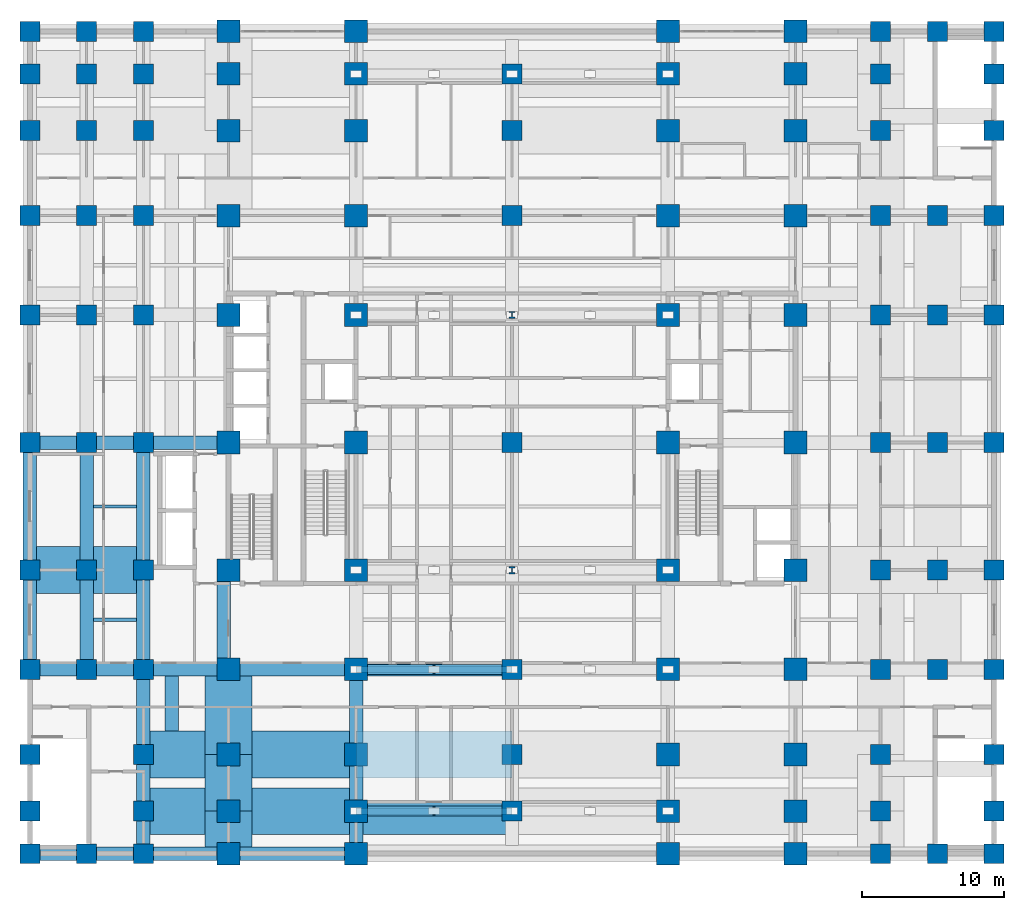
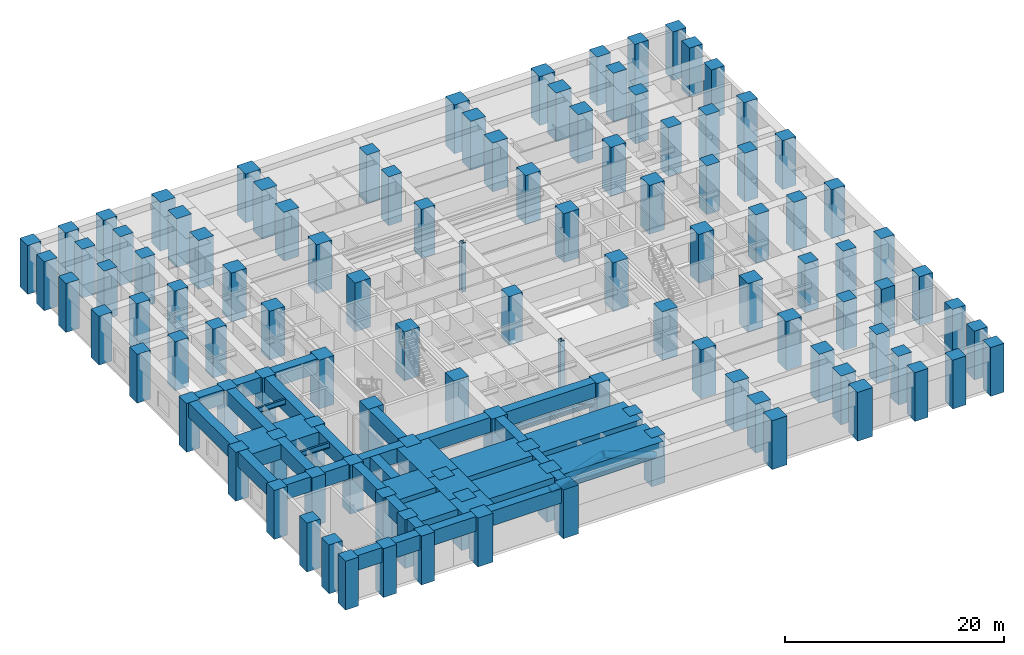
# One storey, part 1 of 22: 113 columns, 39 beams, 6 members.
"""IFC4 building model written with IfcOpenShell, lengths in metres."""

from ifc_helpers import new_model, si_unit, direction, frame, origin, origin_2d, place, context, subcontext, project, spatial, rectangle, hollow_circle, i_section, extrude, material, material_profile, profile_set, type_object, element, save


model = new_model("IFC4")

# Units and contexts
model_context = context("Model", 3, precision=1e-05, world=origin(), true_north=direction((0.0, 1.0)))
body_context = subcontext(model_context, "Body", "Model", "MODEL_VIEW")
ifc_project = project(units=[si_unit("LENGTHUNIT", "METRE"), si_unit("AREAUNIT", "SQUARE_METRE"), si_unit("VOLUMEUNIT", "CUBIC_METRE"), si_unit("PLANEANGLEUNIT", "RADIAN"), si_unit("MASSUNIT", "GRAM", prefix="KILO")], contexts=[model_context])

# Site, building, storey
site_placement = place(None, origin())
site = spatial("IfcSite", under=ifc_project, at=site_placement, CompositionType="ELEMENT")
building_placement = place(site_placement, origin())
building = spatial("IfcBuilding", under=site, at=building_placement, Name="Zulmaris Gate Convention Tower", CompositionType="ELEMENT")
storey_placement = place(building_placement, frame((0.0, 0.0, 21.760009765625)))
storey = spatial("IfcBuildingStorey", under=building, at=storey_placement, Name="L04", CompositionType="ELEMENT", Elevation=21.760009765625)

# Columns
ifc_material_1 = material(Name="Steel S460", Category="steel")
ifc_material_profile_1 = material_profile(ifc_material_1, i_section(OverallWidth=0.43701171875, OverallDepth=0.513916015625, WebThickness=0.060546875, FlangeThickness=0.096923828125, FilletRadius=0.014892578125, at=origin_2d()), Name="HD 400x818")
ifc_profile_set_1 = profile_set([ifc_material_profile_1], Name="Steel S460")
column_type_1 = type_object("IfcColumnType", Name="COL-HD818", PredefinedType="COLUMN", material=ifc_profile_set_1)
for number, where, z_axis, x_axis, name in (
    (1, (0.0, -9.0, -0.449951171875), (0.0, 0.0, 1.0), (1.0, 0.0, 0.0), "L04 Column G-+0.0_-9.0"),
    (2, (0.0, 9.0, -0.449951171875), (0.0, 0.0, 1.0), (1.0, 0.0, 0.0), "L04 Column G-+0.0_+9.0"),
):
    element("IfcColumn", number, at=place(storey_placement, frame(where, z_axis=z_axis, x_axis=x_axis)), inside=storey, type_object=column_type_1, Name=name, PredefinedType="COLUMN", context=body_context, shape_type="SweptSolid", body=[
        extrude(i_section(OverallWidth=0.43701171875, OverallDepth=0.513916015625, WebThickness=0.060546875, FlangeThickness=0.096923828125, FilletRadius=0.014892578125, at=origin_2d()), origin(), (0.0, 0.0, 1.0), 5.43994140625),
    ])
ifc_material_2 = material(Name="Concrete C80/95", Category="concrete")
ifc_material_profile_2 = material_profile(ifc_material_2, rectangle(XDim=1.39990234375, YDim=1.39990234375, at=origin_2d()), Name="RC COL 1400x1400")
ifc_profile_set_2 = profile_set([ifc_material_profile_2], Name="Concrete C80/95")
column_type_2 = type_object("IfcColumnType", Name="COL-RC1400", PredefinedType="COLUMN", material=ifc_profile_set_2)
for number, where, z_axis, x_axis, name in (
    (3, (-34.0, -29.0, -0.449951171875), (0.0, 0.0, 1.0), (1.0, 0.0, 0.0), "L04 Column G--34.0_-29.0"),
    (4, (-34.0, -26.0, -0.449951171875), (0.0, 0.0, 1.0), (1.0, 0.0, 0.0), "L04 Column G--34.0_-26.0"),
    (5, (-34.0, -22.0, -0.449951171875), (0.0, 0.0, 1.0), (1.0, 0.0, 0.0), "L04 Column G--34.0_-22.0"),
    (6, (-34.0, -16.0, -0.449951171875), (0.0, 0.0, 1.0), (1.0, 0.0, 0.0), "L04 Column G--34.0_-16.0"),
    (7, (-34.0, -9.0, -0.449951171875), (0.0, 0.0, 1.0), (1.0, 0.0, 0.0), "L04 Column G--34.0_-9.0"),
    (8, (-34.0, 0.0, -0.449951171875), (0.0, 0.0, 1.0), (1.0, 0.0, 0.0), "L04 Column G--34.0_+0.0"),
    (9, (-34.0, 9.0, -0.449951171875), (0.0, 0.0, 1.0), (1.0, 0.0, 0.0), "L04 Column G--34.0_+9.0"),
    (10, (-34.0, 16.0, -0.449951171875), (0.0, 0.0, 1.0), (1.0, 0.0, 0.0), "L04 Column G--34.0_+16.0"),
    (11, (-34.0, 22.0, -0.449951171875), (0.0, 0.0, 1.0), (1.0, 0.0, 0.0), "L04 Column G--34.0_+22.0"),
    (12, (-34.0, 26.0, -0.449951171875), (0.0, 0.0, 1.0), (1.0, 0.0, 0.0), "L04 Column G--34.0_+26.0"),
    (13, (-34.0, 29.0, -0.449951171875), (0.0, 0.0, 1.0), (1.0, 0.0, 0.0), "L04 Column G--34.0_+29.0"),
    (14, (-30.0, -29.0, -0.449951171875), (0.0, 0.0, 1.0), (1.0, 0.0, 0.0), "L04 Column G--30.0_-29.0"),
    (15, (-30.0, -16.0, -0.449951171875), (0.0, 0.0, 1.0), (1.0, 0.0, 0.0), "L04 Column G--30.0_-16.0"),
    (16, (-30.0, -9.0, -0.449951171875), (0.0, 0.0, 1.0), (1.0, 0.0, 0.0), "L04 Column G--30.0_-9.0"),
    (17, (-30.0, 0.0, -0.449951171875), (0.0, 0.0, 1.0), (1.0, 0.0, 0.0), "L04 Column G--30.0_+0.0"),
    (18, (-30.0, 9.0, -0.449951171875), (0.0, 0.0, 1.0), (1.0, 0.0, 0.0), "L04 Column G--30.0_+9.0"),
    (19, (-30.0, 16.0, -0.449951171875), (0.0, 0.0, 1.0), (1.0, 0.0, 0.0), "L04 Column G--30.0_+16.0"),
    (20, (-30.0, 22.0, -0.449951171875), (0.0, 0.0, 1.0), (1.0, 0.0, 0.0), "L04 Column G--30.0_+22.0"),
    (21, (-30.0, 26.0, -0.449951171875), (0.0, 0.0, 1.0), (1.0, 0.0, 0.0), "L04 Column G--30.0_+26.0"),
    (22, (-30.0, 29.0, -0.449951171875), (0.0, 0.0, 1.0), (1.0, 0.0, 0.0), "L04 Column G--30.0_+29.0"),
    (23, (-26.0, -29.0, -0.449951171875), (0.0, 0.0, 1.0), (1.0, 0.0, 0.0), "L04 Column G--26.0_-29.0"),
    (24, (-26.0, -26.0, -0.449951171875), (0.0, 0.0, 1.0), (1.0, 0.0, 0.0), "L04 Column G--26.0_-26.0"),
    (25, (-26.0, -22.0, -0.449951171875), (0.0, 0.0, 1.0), (1.0, 0.0, 0.0), "L04 Column G--26.0_-22.0"),
    (26, (-26.0, -16.0, -0.449951171875), (0.0, 0.0, 1.0), (1.0, 0.0, 0.0), "L04 Column G--26.0_-16.0"),
    (27, (-26.0, -9.0, -0.449951171875), (0.0, 0.0, 1.0), (1.0, 0.0, 0.0), "L04 Column G--26.0_-9.0"),
    (28, (-26.0, 0.0, -0.449951171875), (0.0, 0.0, 1.0), (1.0, 0.0, 0.0), "L04 Column G--26.0_+0.0"),
    (29, (-26.0, 9.0, -0.449951171875), (0.0, 0.0, 1.0), (1.0, 0.0, 0.0), "L04 Column G--26.0_+9.0"),
    (30, (-26.0, 16.0, -0.449951171875), (0.0, 0.0, 1.0), (1.0, 0.0, 0.0), "L04 Column G--26.0_+16.0"),
    (31, (-26.0, 22.0, -0.449951171875), (0.0, 0.0, 1.0), (1.0, 0.0, 0.0), "L04 Column G--26.0_+22.0"),
    (32, (-26.0, 26.0, -0.449951171875), (0.0, 0.0, 1.0), (1.0, 0.0, 0.0), "L04 Column G--26.0_+26.0"),
    (33, (-26.0, 29.0, -0.449951171875), (0.0, 0.0, 1.0), (1.0, 0.0, 0.0), "L04 Column G--26.0_+29.0"),
    (34, (0.0, -26.0, -0.449951171875), (0.0, 0.0, 1.0), (1.0, 0.0, 0.0), "L04 Column G-+0.0_-26.0"),
    (35, (0.0, -22.0, -0.449951171875), (0.0, 0.0, 1.0), (1.0, 0.0, 0.0), "L04 Column G-+0.0_-22.0"),
    (36, (0.0, -16.0, -0.449951171875), (0.0, 0.0, 1.0), (1.0, 0.0, 0.0), "L04 Column G-+0.0_-16.0"),
    (37, (0.0, 0.0, -0.449951171875), (0.0, 0.0, 1.0), (1.0, 0.0, 0.0), "L04 Column G-+0.0_+0.0"),
    (38, (0.0, 16.0, -0.449951171875), (0.0, 0.0, 1.0), (1.0, 0.0, 0.0), "L04 Column G-+0.0_+16.0"),
    (39, (0.0, 22.0, -0.449951171875), (0.0, 0.0, 1.0), (1.0, 0.0, 0.0), "L04 Column G-+0.0_+22.0"),
    (40, (0.0, 26.0, -0.449951171875), (0.0, 0.0, 1.0), (1.0, 0.0, 0.0), "L04 Column G-+0.0_+26.0"),
    (41, (26.0, -29.0, -0.449951171875), (0.0, 0.0, 1.0), (1.0, 0.0, 0.0), "L04 Column G-+26.0_-29.0"),
    (42, (26.0, -26.0, -0.449951171875), (0.0, 0.0, 1.0), (1.0, 0.0, 0.0), "L04 Column G-+26.0_-26.0"),
    (43, (26.0, -22.0, -0.449951171875), (0.0, 0.0, 1.0), (1.0, 0.0, 0.0), "L04 Column G-+26.0_-22.0"),
    (44, (26.0, -16.0, -0.449951171875), (0.0, 0.0, 1.0), (1.0, 0.0, 0.0), "L04 Column G-+26.0_-16.0"),
    (45, (26.0, -9.0, -0.449951171875), (0.0, 0.0, 1.0), (1.0, 0.0, 0.0), "L04 Column G-+26.0_-9.0"),
    (46, (26.0, 0.0, -0.449951171875), (0.0, 0.0, 1.0), (1.0, 0.0, 0.0), "L04 Column G-+26.0_+0.0"),
    (47, (26.0, 9.0, -0.449951171875), (0.0, 0.0, 1.0), (1.0, 0.0, 0.0), "L04 Column G-+26.0_+9.0"),
    (48, (26.0, 16.0, -0.449951171875), (0.0, 0.0, 1.0), (1.0, 0.0, 0.0), "L04 Column G-+26.0_+16.0"),
    (49, (26.0, 22.0, -0.449951171875), (0.0, 0.0, 1.0), (1.0, 0.0, 0.0), "L04 Column G-+26.0_+22.0"),
    (50, (26.0, 26.0, -0.449951171875), (0.0, 0.0, 1.0), (1.0, 0.0, 0.0), "L04 Column G-+26.0_+26.0"),
    (51, (26.0, 29.0, -0.449951171875), (0.0, 0.0, 1.0), (1.0, 0.0, 0.0), "L04 Column G-+26.0_+29.0"),
    (52, (30.0, -29.0, -0.449951171875), (0.0, 0.0, 1.0), (1.0, 0.0, 0.0), "L04 Column G-+30.0_-29.0"),
    (53, (30.0, -16.0, -0.449951171875), (0.0, 0.0, 1.0), (1.0, 0.0, 0.0), "L04 Column G-+30.0_-16.0"),
    (54, (30.0, -9.0, -0.449951171875), (0.0, 0.0, 1.0), (1.0, 0.0, 0.0), "L04 Column G-+30.0_-9.0"),
    (55, (30.0, 0.0, -0.449951171875), (0.0, 0.0, 1.0), (1.0, 0.0, 0.0), "L04 Column G-+30.0_+0.0"),
    (56, (30.0, 9.0, -0.449951171875), (0.0, 0.0, 1.0), (1.0, 0.0, 0.0), "L04 Column G-+30.0_+9.0"),
    (57, (30.0, 16.0, -0.449951171875), (0.0, 0.0, 1.0), (1.0, 0.0, 0.0), "L04 Column G-+30.0_+16.0"),
    (58, (30.0, 29.0, -0.449951171875), (0.0, 0.0, 1.0), (1.0, 0.0, 0.0), "L04 Column G-+30.0_+29.0"),
    (59, (34.0, -29.0, -0.449951171875), (0.0, 0.0, 1.0), (1.0, 0.0, 0.0), "L04 Column G-+34.0_-29.0"),
    (60, (34.0, -26.0, -0.449951171875), (0.0, 0.0, 1.0), (1.0, 0.0, 0.0), "L04 Column G-+34.0_-26.0"),
    (61, (34.0, -22.0, -0.449951171875), (0.0, 0.0, 1.0), (1.0, 0.0, 0.0), "L04 Column G-+34.0_-22.0"),
    (62, (34.0, -16.0, -0.449951171875), (0.0, 0.0, 1.0), (1.0, 0.0, 0.0), "L04 Column G-+34.0_-16.0"),
    (63, (34.0, -9.0, -0.449951171875), (0.0, 0.0, 1.0), (1.0, 0.0, 0.0), "L04 Column G-+34.0_-9.0"),
    (64, (34.0, 0.0, -0.449951171875), (0.0, 0.0, 1.0), (1.0, 0.0, 0.0), "L04 Column G-+34.0_+0.0"),
    (65, (34.0, 9.0, -0.449951171875), (0.0, 0.0, 1.0), (1.0, 0.0, 0.0), "L04 Column G-+34.0_+9.0"),
    (66, (34.0, 16.0, -0.449951171875), (0.0, 0.0, 1.0), (1.0, 0.0, 0.0), "L04 Column G-+34.0_+16.0"),
    (67, (34.0, 22.0, -0.449951171875), (0.0, 0.0, 1.0), (1.0, 0.0, 0.0), "L04 Column G-+34.0_+22.0"),
    (68, (34.0, 26.0, -0.449951171875), (0.0, 0.0, 1.0), (1.0, 0.0, 0.0), "L04 Column G-+34.0_+26.0"),
    (69, (34.0, 29.0, -0.449951171875), (0.0, 0.0, 1.0), (1.0, 0.0, 0.0), "L04 Column G-+34.0_+29.0"),
):
    element("IfcColumn", number, at=place(storey_placement, frame(where, z_axis=z_axis, x_axis=x_axis)), inside=storey, type_object=column_type_2, Name=name, PredefinedType="COLUMN", context=body_context, shape_type="SweptSolid", body=[
        extrude(rectangle(XDim=1.39990234375, YDim=1.39990234375, at=origin_2d()), origin(), (0.0, 0.0, 1.0), 5.43994140625),
    ])
ifc_material_profile_3 = material_profile(ifc_material_2, rectangle(XDim=1.60009765625, YDim=1.60009765625, at=origin_2d()), Name="RC COL 1600x1600")
ifc_profile_set_3 = profile_set([ifc_material_profile_3], Name="Concrete C80/95")
column_type_3 = type_object("IfcColumnType", Name="COL-RC1600", PredefinedType="COLUMN", material=ifc_profile_set_3)
for number, where, z_axis, x_axis, name in (
    (70, (-20.0, -29.0, -0.449951171875), (0.0, 0.0, 1.0), (1.0, 0.0, 0.0), "L04 Column G--20.0_-29.0"),
    (71, (-20.0, -26.0, -0.449951171875), (0.0, 0.0, 1.0), (1.0, 0.0, 0.0), "L04 Column G--20.0_-26.0"),
    (72, (-20.0, -22.0, -0.449951171875), (0.0, 0.0, 1.0), (1.0, 0.0, 0.0), "L04 Column G--20.0_-22.0"),
    (73, (-20.0, -16.0, -0.449951171875), (0.0, 0.0, 1.0), (1.0, 0.0, 0.0), "L04 Column G--20.0_-16.0"),
    (74, (-20.0, -9.0, -0.449951171875), (0.0, 0.0, 1.0), (1.0, 0.0, 0.0), "L04 Column G--20.0_-9.0"),
    (75, (-20.0, 0.0, -0.449951171875), (0.0, 0.0, 1.0), (1.0, 0.0, 0.0), "L04 Column G--20.0_+0.0"),
    (76, (-20.0, 9.0, -0.449951171875), (0.0, 0.0, 1.0), (1.0, 0.0, 0.0), "L04 Column G--20.0_+9.0"),
    (77, (-20.0, 16.0, -0.449951171875), (0.0, 0.0, 1.0), (1.0, 0.0, 0.0), "L04 Column G--20.0_+16.0"),
    (78, (-20.0, 22.0, -0.449951171875), (0.0, 0.0, 1.0), (1.0, 0.0, 0.0), "L04 Column G--20.0_+22.0"),
    (79, (-20.0, 26.0, -0.449951171875), (0.0, 0.0, 1.0), (1.0, 0.0, 0.0), "L04 Column G--20.0_+26.0"),
    (80, (-20.0, 29.0, -0.449951171875), (0.0, 0.0, 1.0), (1.0, 0.0, 0.0), "L04 Column G--20.0_+29.0"),
    (81, (-11.0, -29.0, -0.449951171875), (0.0, 0.0, 1.0), (1.0, 0.0, 0.0), "L04 Column G--11.0_-29.0"),
    (82, (-11.0, -26.0, -0.449951171875), (0.0, 0.0, 1.0), (1.0, 0.0, 0.0), "L04 Column G--11.0_-26.0"),
    (83, (-11.0, -22.0, -0.449951171875), (0.0, 0.0, 1.0), (1.0, 0.0, 0.0), "L04 Column G--11.0_-22.0"),
    (84, (-11.0, -16.0, -0.449951171875), (0.0, 0.0, 1.0), (1.0, 0.0, 0.0), "L04 Column G--11.0_-16.0"),
    (85, (-11.0, -9.0, -0.449951171875), (0.0, 0.0, 1.0), (1.0, 0.0, 0.0), "L04 Column G--11.0_-9.0"),
    (86, (-11.0, 0.0, -0.449951171875), (0.0, 0.0, 1.0), (1.0, 0.0, 0.0), "L04 Column G--11.0_+0.0"),
    (87, (-11.0, 9.0, -0.449951171875), (0.0, 0.0, 1.0), (1.0, 0.0, 0.0), "L04 Column G--11.0_+9.0"),
    (88, (-11.0, 16.0, -0.449951171875), (0.0, 0.0, 1.0), (1.0, 0.0, 0.0), "L04 Column G--11.0_+16.0"),
    (89, (-11.0, 22.0, -0.449951171875), (0.0, 0.0, 1.0), (1.0, 0.0, 0.0), "L04 Column G--11.0_+22.0"),
    (90, (-11.0, 26.0, -0.449951171875), (0.0, 0.0, 1.0), (1.0, 0.0, 0.0), "L04 Column G--11.0_+26.0"),
    (91, (-11.0, 29.0, -0.449951171875), (0.0, 0.0, 1.0), (1.0, 0.0, 0.0), "L04 Column G--11.0_+29.0"),
    (92, (11.0, -29.0, -0.449951171875), (0.0, 0.0, 1.0), (1.0, 0.0, 0.0), "L04 Column G-+11.0_-29.0"),
    (93, (11.0, -26.0, -0.449951171875), (0.0, 0.0, 1.0), (1.0, 0.0, 0.0), "L04 Column G-+11.0_-26.0"),
    (94, (11.0, -22.0, -0.449951171875), (0.0, 0.0, 1.0), (1.0, 0.0, 0.0), "L04 Column G-+11.0_-22.0"),
    (95, (11.0, -16.0, -0.449951171875), (0.0, 0.0, 1.0), (1.0, 0.0, 0.0), "L04 Column G-+11.0_-16.0"),
    (96, (11.0, -9.0, -0.449951171875), (0.0, 0.0, 1.0), (1.0, 0.0, 0.0), "L04 Column G-+11.0_-9.0"),
    (97, (11.0, 0.0, -0.449951171875), (0.0, 0.0, 1.0), (1.0, 0.0, 0.0), "L04 Column G-+11.0_+0.0"),
    (98, (11.0, 9.0, -0.449951171875), (0.0, 0.0, 1.0), (1.0, 0.0, 0.0), "L04 Column G-+11.0_+9.0"),
    (99, (11.0, 16.0, -0.449951171875), (0.0, 0.0, 1.0), (1.0, 0.0, 0.0), "L04 Column G-+11.0_+16.0"),
    (100, (11.0, 22.0, -0.449951171875), (0.0, 0.0, 1.0), (1.0, 0.0, 0.0), "L04 Column G-+11.0_+22.0"),
    (101, (11.0, 26.0, -0.449951171875), (0.0, 0.0, 1.0), (1.0, 0.0, 0.0), "L04 Column G-+11.0_+26.0"),
    (102, (11.0, 29.0, -0.449951171875), (0.0, 0.0, 1.0), (1.0, 0.0, 0.0), "L04 Column G-+11.0_+29.0"),
    (103, (20.0, -29.0, -0.449951171875), (0.0, 0.0, 1.0), (1.0, 0.0, 0.0), "L04 Column G-+20.0_-29.0"),
    (104, (20.0, -26.0, -0.449951171875), (0.0, 0.0, 1.0), (1.0, 0.0, 0.0), "L04 Column G-+20.0_-26.0"),
    (105, (20.0, -22.0, -0.449951171875), (0.0, 0.0, 1.0), (1.0, 0.0, 0.0), "L04 Column G-+20.0_-22.0"),
    (106, (20.0, -16.0, -0.449951171875), (0.0, 0.0, 1.0), (1.0, 0.0, 0.0), "L04 Column G-+20.0_-16.0"),
    (107, (20.0, -9.0, -0.449951171875), (0.0, 0.0, 1.0), (1.0, 0.0, 0.0), "L04 Column G-+20.0_-9.0"),
    (108, (20.0, 0.0, -0.449951171875), (0.0, 0.0, 1.0), (1.0, 0.0, 0.0), "L04 Column G-+20.0_+0.0"),
    (109, (20.0, 9.0, -0.449951171875), (0.0, 0.0, 1.0), (1.0, 0.0, 0.0), "L04 Column G-+20.0_+9.0"),
    (110, (20.0, 16.0, -0.449951171875), (0.0, 0.0, 1.0), (1.0, 0.0, 0.0), "L04 Column G-+20.0_+16.0"),
    (111, (20.0, 22.0, -0.449951171875), (0.0, 0.0, 1.0), (1.0, 0.0, 0.0), "L04 Column G-+20.0_+22.0"),
    (112, (20.0, 26.0, -0.449951171875), (0.0, 0.0, 1.0), (1.0, 0.0, 0.0), "L04 Column G-+20.0_+26.0"),
    (113, (20.0, 29.0, -0.449951171875), (0.0, 0.0, 1.0), (1.0, 0.0, 0.0), "L04 Column G-+20.0_+29.0"),
):
    element("IfcColumn", number, at=place(storey_placement, frame(where, z_axis=z_axis, x_axis=x_axis)), inside=storey, type_object=column_type_3, Name=name, PredefinedType="COLUMN", context=body_context, shape_type="SweptSolid", body=[
        extrude(rectangle(XDim=1.60009765625, YDim=1.60009765625, at=origin_2d()), origin(), (0.0, 0.0, 1.0), 5.43994140625),
    ])

# Beams
ifc_material_profile_4 = material_profile(ifc_material_2, rectangle(XDim=0.949951171875, YDim=1.64990234375, at=origin_2d()), Name="RC TRANSFER 950x1650")
ifc_profile_set_4 = profile_set([ifc_material_profile_4], Name="Concrete C80/95")
beam_type_1 = type_object("IfcBeamType", Name="BM-XFER1650", PredefinedType="BEAM", material=ifc_profile_set_4)
beam_1_placement = place(storey_placement, frame((-20.320068359375, -16.0, 4.1650390625), z_axis=(0.0, 1.0, 0.0), x_axis=(-1.0, 0.0, 0.0)))
element("IfcBeam", 114, at=beam_1_placement, inside=storey, type_object=beam_type_1, Name="L04 Beam XFCOR-L04-SW", PredefinedType="BEAM", context=body_context, shape_type="SweptSolid", body=[
    extrude(rectangle(XDim=0.949951171875, YDim=1.64990234375, at=origin_2d()), origin(), (0.0, 0.0, 1.0), 7.0),
])
for number, where, z_axis, x_axis, name in (
    (115, (-34.0, -29.0, 4.1650390625), (1.0, 0.0, 0.0), (0.0, 1.0, 0.0), "L04 Beam XFRNGX-L04--29.0-1"),
    (116, (-30.0, -29.0, 4.1650390625), (1.0, 0.0, 0.0), (0.0, 1.0, 0.0), "L04 Beam XFRNGX-L04--29.0-2"),
):
    element("IfcBeam", number, at=place(storey_placement, frame(where, z_axis=z_axis, x_axis=x_axis)), inside=storey, type_object=beam_type_1, Name=name, PredefinedType="BEAM", context=body_context, shape_type="SweptSolid", body=[
        extrude(rectangle(XDim=0.949951171875, YDim=1.64990234375, at=origin_2d()), origin(), (0.0, 0.0, 1.0), 4.0),
    ])
beam_2_placement = place(storey_placement, frame((-26.0, -29.0, 4.1650390625), z_axis=(1.0, 0.0, 0.0), x_axis=(0.0, 1.0, 0.0)))
element("IfcBeam", 117, at=beam_2_placement, inside=storey, type_object=beam_type_1, Name="L04 Beam XFRNGX-L04--29.0-3", PredefinedType="BEAM", context=body_context, shape_type="SweptSolid", body=[
    extrude(rectangle(XDim=0.949951171875, YDim=1.64990234375, at=origin_2d()), origin(), (0.0, 0.0, 1.0), 6.0),
])
beam_3_placement = place(storey_placement, frame((-20.0, -29.0, 4.1650390625), z_axis=(1.0, 0.0, 0.0), x_axis=(0.0, 1.0, 0.0)))
element("IfcBeam", 118, at=beam_3_placement, inside=storey, type_object=beam_type_1, Name="L04 Beam XFRNGX-L04--29.0-4", PredefinedType="BEAM", context=body_context, shape_type="SweptSolid", body=[
    extrude(rectangle(XDim=0.949951171875, YDim=1.64990234375, at=origin_2d()), origin(), (0.0, 0.0, 1.0), 9.0),
])
beam_4_placement = place(storey_placement, frame((-34.0, -16.0, 4.1650390625), z_axis=(0.0, 1.0, 0.0), x_axis=(-1.0, 0.0, 0.0)))
element("IfcBeam", 119, at=beam_4_placement, inside=storey, type_object=beam_type_1, Name="L04 Beam XFRNGY-L04--34.0-4", PredefinedType="BEAM", context=body_context, shape_type="SweptSolid", body=[
    extrude(rectangle(XDim=0.949951171875, YDim=1.64990234375, at=origin_2d()), origin(), (0.0, 0.0, 1.0), 7.0),
])
beam_5_placement = place(storey_placement, frame((-34.0, -9.0, 4.1650390625), z_axis=(0.0, 1.0, 0.0), x_axis=(-1.0, 0.0, 0.0)))
element("IfcBeam", 120, at=beam_5_placement, inside=storey, type_object=beam_type_1, Name="L04 Beam XFRNGY-L04--34.0-5", PredefinedType="BEAM", context=body_context, shape_type="SweptSolid", body=[
    extrude(rectangle(XDim=0.949951171875, YDim=1.64990234375, at=origin_2d()), origin(), (0.0, 0.0, 1.0), 9.0),
])
beam_6_placement = place(storey_placement, frame((-30.0, -16.0, 4.1650390625), z_axis=(0.0, 1.0, 0.0), x_axis=(-1.0, 0.0, 0.0)))
element("IfcBeam", 121, at=beam_6_placement, inside=storey, type_object=beam_type_1, Name="L04 Beam XFSPY-L04--30.0-2", PredefinedType="BEAM", context=body_context, shape_type="SweptSolid", body=[
    extrude(rectangle(XDim=0.949951171875, YDim=1.64990234375, at=origin_2d()), origin(), (0.0, 0.0, 1.0), 7.0),
])
beam_7_placement = place(storey_placement, frame((-30.0, -9.0, 4.1650390625), z_axis=(0.0, 1.0, 0.0), x_axis=(-1.0, 0.0, 0.0)))
element("IfcBeam", 122, at=beam_7_placement, inside=storey, type_object=beam_type_1, Name="L04 Beam XFSPY-L04--30.0-3", PredefinedType="BEAM", context=body_context, shape_type="SweptSolid", body=[
    extrude(rectangle(XDim=0.949951171875, YDim=1.64990234375, at=origin_2d()), origin(), (0.0, 0.0, 1.0), 9.0),
])
beam_8_placement = place(storey_placement, frame((-26.0, -29.0, 4.1650390625), z_axis=(0.0, 1.0, 0.0), x_axis=(-1.0, 0.0, 0.0)))
element("IfcBeam", 123, at=beam_8_placement, inside=storey, type_object=beam_type_1, Name="L04 Beam XFSPY-L04--26.0-1", PredefinedType="BEAM", context=body_context, shape_type="SweptSolid", body=[
    extrude(rectangle(XDim=0.949951171875, YDim=1.64990234375, at=origin_2d()), origin(), (0.0, 0.0, 1.0), 3.0),
])
beam_9_placement = place(storey_placement, frame((-26.0, -26.0, 4.1650390625), z_axis=(0.0, 1.0, 0.0), x_axis=(-1.0, 0.0, 0.0)))
element("IfcBeam", 124, at=beam_9_placement, inside=storey, type_object=beam_type_1, Name="L04 Beam XFSPY-L04--26.0-2", PredefinedType="BEAM", context=body_context, shape_type="SweptSolid", body=[
    extrude(rectangle(XDim=0.949951171875, YDim=1.64990234375, at=origin_2d()), origin(), (0.0, 0.0, 1.0), 4.0),
])
beam_10_placement = place(storey_placement, frame((-26.0, -22.0, 4.1650390625), z_axis=(0.0, 1.0, 0.0), x_axis=(-1.0, 0.0, 0.0)))
element("IfcBeam", 125, at=beam_10_placement, inside=storey, type_object=beam_type_1, Name="L04 Beam XFSPY-L04--26.0-3", PredefinedType="BEAM", context=body_context, shape_type="SweptSolid", body=[
    extrude(rectangle(XDim=0.949951171875, YDim=1.64990234375, at=origin_2d()), origin(), (0.0, 0.0, 1.0), 6.0),
])
beam_11_placement = place(storey_placement, frame((-26.0, -16.0, 4.1650390625), z_axis=(0.0, 1.0, 0.0), x_axis=(-1.0, 0.0, 0.0)))
element("IfcBeam", 126, at=beam_11_placement, inside=storey, type_object=beam_type_1, Name="L04 Beam XFSPY-L04--26.0-4", PredefinedType="BEAM", context=body_context, shape_type="SweptSolid", body=[
    extrude(rectangle(XDim=0.949951171875, YDim=1.64990234375, at=origin_2d()), origin(), (0.0, 0.0, 1.0), 7.0),
])
beam_12_placement = place(storey_placement, frame((-26.0, -9.0, 4.1650390625), z_axis=(0.0, 1.0, 0.0), x_axis=(-1.0, 0.0, 0.0)))
element("IfcBeam", 127, at=beam_12_placement, inside=storey, type_object=beam_type_1, Name="L04 Beam XFSPY-L04--26.0-5", PredefinedType="BEAM", context=body_context, shape_type="SweptSolid", body=[
    extrude(rectangle(XDim=0.949951171875, YDim=1.64990234375, at=origin_2d()), origin(), (0.0, 0.0, 1.0), 9.0),
])
beam_13_placement = place(storey_placement, frame((-11.0, -29.0, 4.1650390625), z_axis=(0.0, 1.0, 0.0), x_axis=(-1.0, 0.0, 0.0)))
element("IfcBeam", 128, at=beam_13_placement, inside=storey, type_object=beam_type_1, Name="L04 Beam XFSPY-L04--11.0-1", PredefinedType="BEAM", context=body_context, shape_type="SweptSolid", body=[
    extrude(rectangle(XDim=0.949951171875, YDim=1.64990234375, at=origin_2d()), origin(), (0.0, 0.0, 1.0), 3.0),
])
beam_14_placement = place(storey_placement, frame((-11.0, -26.0, 4.1650390625), z_axis=(0.0, 1.0, 0.0), x_axis=(-1.0, 0.0, 0.0)))
element("IfcBeam", 129, at=beam_14_placement, inside=storey, type_object=beam_type_1, Name="L04 Beam XFSPY-L04--11.0-2", PredefinedType="BEAM", context=body_context, shape_type="SweptSolid", body=[
    extrude(rectangle(XDim=0.949951171875, YDim=1.64990234375, at=origin_2d()), origin(), (0.0, 0.0, 1.0), 4.0),
])
beam_15_placement = place(storey_placement, frame((-11.0, -22.0, 4.1650390625), z_axis=(0.0, 1.0, 0.0), x_axis=(-1.0, 0.0, 0.0)))
element("IfcBeam", 130, at=beam_15_placement, inside=storey, type_object=beam_type_1, Name="L04 Beam XFSPY-L04--11.0-3", PredefinedType="BEAM", context=body_context, shape_type="SweptSolid", body=[
    extrude(rectangle(XDim=0.949951171875, YDim=1.64990234375, at=origin_2d()), origin(), (0.0, 0.0, 1.0), 6.0),
])
for number, where, z_axis, x_axis, name in (
    (131, (-34.0, -16.0, 4.1650390625), (1.0, 0.0, 0.0), (0.0, 1.0, 0.0), "L04 Beam XFSPX-L04--16.0-1"),
    (132, (-30.0, -16.0, 4.1650390625), (1.0, 0.0, 0.0), (0.0, 1.0, 0.0), "L04 Beam XFSPX-L04--16.0-2"),
):
    element("IfcBeam", number, at=place(storey_placement, frame(where, z_axis=z_axis, x_axis=x_axis)), inside=storey, type_object=beam_type_1, Name=name, PredefinedType="BEAM", context=body_context, shape_type="SweptSolid", body=[
        extrude(rectangle(XDim=0.949951171875, YDim=1.64990234375, at=origin_2d()), origin(), (0.0, 0.0, 1.0), 4.0),
    ])
beam_16_placement = place(storey_placement, frame((-26.0, -16.0, 4.1650390625), z_axis=(1.0, 0.0, 0.0), x_axis=(0.0, 1.0, 0.0)))
element("IfcBeam", 133, at=beam_16_placement, inside=storey, type_object=beam_type_1, Name="L04 Beam XFSPX-L04--16.0-3", PredefinedType="BEAM", context=body_context, shape_type="SweptSolid", body=[
    extrude(rectangle(XDim=0.949951171875, YDim=1.64990234375, at=origin_2d()), origin(), (0.0, 0.0, 1.0), 6.0),
])
beam_17_placement = place(storey_placement, frame((-20.0, -16.0, 4.1650390625), z_axis=(1.0, 0.0, 0.0), x_axis=(0.0, 1.0, 0.0)))
element("IfcBeam", 134, at=beam_17_placement, inside=storey, type_object=beam_type_1, Name="L04 Beam XFSPX-L04--16.0-4", PredefinedType="BEAM", context=body_context, shape_type="SweptSolid", body=[
    extrude(rectangle(XDim=0.949951171875, YDim=1.64990234375, at=origin_2d()), origin(), (0.0, 0.0, 1.0), 9.0),
])
beam_18_placement = place(storey_placement, frame((-11.0, -16.0, 4.1650390625), z_axis=(1.0, 0.0, 0.0), x_axis=(0.0, 1.0, 0.0)))
element("IfcBeam", 135, at=beam_18_placement, inside=storey, type_object=beam_type_1, Name="L04 Beam XFSPX-L04--16.0-5", PredefinedType="BEAM", context=body_context, shape_type="SweptSolid", body=[
    extrude(rectangle(XDim=0.949951171875, YDim=1.64990234375, at=origin_2d()), origin(), (0.0, 0.0, 1.0), 11.0),
])
for number, where, z_axis, x_axis, name in (
    (136, (-34.0, 0.0, 4.1650390625), (1.0, 0.0, 0.0), (0.0, 1.0, 0.0), "L04 Beam XFSPX-L04-+0.0-1"),
    (137, (-30.0, 0.0, 4.1650390625), (1.0, 0.0, 0.0), (0.0, 1.0, 0.0), "L04 Beam XFSPX-L04-+0.0-2"),
):
    element("IfcBeam", number, at=place(storey_placement, frame(where, z_axis=z_axis, x_axis=x_axis)), inside=storey, type_object=beam_type_1, Name=name, PredefinedType="BEAM", context=body_context, shape_type="SweptSolid", body=[
        extrude(rectangle(XDim=0.949951171875, YDim=1.64990234375, at=origin_2d()), origin(), (0.0, 0.0, 1.0), 4.0),
    ])
beam_19_placement = place(storey_placement, frame((-26.0, 0.0, 4.1650390625), z_axis=(1.0, 0.0, 0.0), x_axis=(0.0, 1.0, 0.0)))
element("IfcBeam", 138, at=beam_19_placement, inside=storey, type_object=beam_type_1, Name="L04 Beam XFSPX-L04-+0.0-3", PredefinedType="BEAM", context=body_context, shape_type="SweptSolid", body=[
    extrude(rectangle(XDim=0.949951171875, YDim=1.64990234375, at=origin_2d()), origin(), (0.0, 0.0, 1.0), 6.0),
])
beam_20_placement = place(storey_placement, frame((-24.0, -20.362060546875, 4.1650390625), z_axis=(0.0, 1.0, 0.0), x_axis=(-1.0, 0.0, 0.0)))
element("IfcBeam", 139, at=beam_20_placement, inside=storey, type_object=beam_type_1, Name="L04 Beam XFERY-L04--24.00-3", PredefinedType="BEAM", context=body_context, shape_type="SweptSolid", body=[
    extrude(rectangle(XDim=0.949951171875, YDim=1.64990234375, at=origin_2d()), origin(), (0.0, 0.0, 1.0), 3.899169921875),
])
ifc_material_profile_5 = material_profile(ifc_material_2, rectangle(XDim=3.300048828125, YDim=1.64990234375, at=origin_2d()), Name="RC TRANSFER 3300x1650")
ifc_profile_set_5 = profile_set([ifc_material_profile_5], Name="Concrete C80/95")
beam_type_2 = type_object("IfcBeamType", Name="BM-XFERCAP", PredefinedType="BEAM", material=ifc_profile_set_5)
beam_21_placement = place(storey_placement, frame((-20.0, -29.0, 4.1650390625), z_axis=(0.0, 1.0, 0.0), x_axis=(-1.0, 0.0, 0.0)))
element("IfcBeam", 140, at=beam_21_placement, inside=storey, type_object=beam_type_2, Name="L04 Beam XFSPY-L04--20.0-1", PredefinedType="BEAM", context=body_context, shape_type="SweptSolid", body=[
    extrude(rectangle(XDim=3.300048828125, YDim=1.64990234375, at=origin_2d()), origin(), (0.0, 0.0, 1.0), 3.0),
])
beam_22_placement = place(storey_placement, frame((-20.0, -26.0, 4.1650390625), z_axis=(0.0, 1.0, 0.0), x_axis=(-1.0, 0.0, 0.0)))
element("IfcBeam", 141, at=beam_22_placement, inside=storey, type_object=beam_type_2, Name="L04 Beam XFSPY-L04--20.0-2", PredefinedType="BEAM", context=body_context, shape_type="SweptSolid", body=[
    extrude(rectangle(XDim=3.300048828125, YDim=1.64990234375, at=origin_2d()), origin(), (0.0, 0.0, 1.0), 4.0),
])
for number, where, z_axis, x_axis, name in (
    (142, (-20.0, -22.0, 4.1650390625), (0.0, 1.0, 0.0), (-1.0, 0.0, 0.0), "L04 Beam XFSPY-L04--20.0-3"),
    (143, (-26.0, -26.0, 4.1650390625), (1.0, 0.0, 0.0), (0.0, 1.0, 0.0), "L04 Beam XFSPX-L04--26.0-2"),
):
    element("IfcBeam", number, at=place(storey_placement, frame(where, z_axis=z_axis, x_axis=x_axis)), inside=storey, type_object=beam_type_2, Name=name, PredefinedType="BEAM", context=body_context, shape_type="SweptSolid", body=[
        extrude(rectangle(XDim=3.300048828125, YDim=1.64990234375, at=origin_2d()), origin(), (0.0, 0.0, 1.0), 6.0),
    ])
beam_23_placement = place(storey_placement, frame((-20.0, -26.0, 4.1650390625), z_axis=(1.0, 0.0, 0.0), x_axis=(0.0, 1.0, 0.0)))
element("IfcBeam", 144, at=beam_23_placement, inside=storey, type_object=beam_type_2, Name="L04 Beam XFSPX-L04--26.0-3", PredefinedType="BEAM", context=body_context, shape_type="SweptSolid", body=[
    extrude(rectangle(XDim=3.300048828125, YDim=1.64990234375, at=origin_2d()), origin(), (0.0, 0.0, 1.0), 9.0),
])
beam_24_placement = place(storey_placement, frame((-11.0, -26.0, 4.1650390625), z_axis=(1.0, 0.0, 0.0), x_axis=(0.0, 1.0, 0.0)))
element("IfcBeam", 145, at=beam_24_placement, inside=storey, type_object=beam_type_2, Name="L04 Beam XFSPX-L04--26.0-4", PredefinedType="BEAM", context=body_context, shape_type="SweptSolid", body=[
    extrude(rectangle(XDim=3.300048828125, YDim=1.64990234375, at=origin_2d()), origin(), (0.0, 0.0, 1.0), 11.0),
])
beam_25_placement = place(storey_placement, frame((-26.0, -22.0, 4.1650390625), z_axis=(1.0, 0.0, 0.0), x_axis=(0.0, 1.0, 0.0)))
element("IfcBeam", 146, at=beam_25_placement, inside=storey, type_object=beam_type_2, Name="L04 Beam XFSPX-L04--22.0-2", PredefinedType="BEAM", context=body_context, shape_type="SweptSolid", body=[
    extrude(rectangle(XDim=3.300048828125, YDim=1.64990234375, at=origin_2d()), origin(), (0.0, 0.0, 1.0), 6.0),
])
beam_26_placement = place(storey_placement, frame((-20.0, -22.0, 4.1650390625), z_axis=(1.0, 0.0, 0.0), x_axis=(0.0, 1.0, 0.0)))
element("IfcBeam", 147, at=beam_26_placement, inside=storey, type_object=beam_type_2, Name="L04 Beam XFSPX-L04--22.0-3", PredefinedType="BEAM", context=body_context, shape_type="SweptSolid", body=[
    extrude(rectangle(XDim=3.300048828125, YDim=1.64990234375, at=origin_2d()), origin(), (0.0, 0.0, 1.0), 9.0),
])
beam_27_placement = place(storey_placement, frame((-11.0, -22.0, 4.1650390625), z_axis=(1.0, 0.0, 0.0), x_axis=(0.0, 1.0, 0.0)))
element("IfcBeam", 148, at=beam_27_placement, inside=storey, type_object=beam_type_2, Name="L04 Beam XFSPX-L04--22.0-4", PredefinedType="BEAM", context=body_context, shape_type="SweptSolid", body=[
    extrude(rectangle(XDim=3.300048828125, YDim=1.64990234375, at=origin_2d()), origin(), (0.0, 0.0, 1.0), 11.0),
])
for number, where, z_axis, x_axis, name in (
    (149, (-34.0, -9.0, 4.1650390625), (1.0, 0.0, 0.0), (0.0, 1.0, 0.0), "L04 Beam XFSPX-L04--9.0-1"),
    (150, (-30.0, -9.0, 4.1650390625), (1.0, 0.0, 0.0), (0.0, 1.0, 0.0), "L04 Beam XFSPX-L04--9.0-2"),
):
    element("IfcBeam", number, at=place(storey_placement, frame(where, z_axis=z_axis, x_axis=x_axis)), inside=storey, type_object=beam_type_2, Name=name, PredefinedType="BEAM", context=body_context, shape_type="SweptSolid", body=[
        extrude(rectangle(XDim=3.300048828125, YDim=1.64990234375, at=origin_2d()), origin(), (0.0, 0.0, 1.0), 4.0),
    ])

# Members
ifc_material_profile_6 = material_profile(ifc_material_1, hollow_circle(Radius=0.35546875, WallThickness=0.035888671875, at=origin_2d()), Name="CHS 711x36")
ifc_profile_set_6 = profile_set([ifc_material_profile_6], Name="Steel S460")
member_type_1 = type_object("IfcMemberType", Name="BR-CHS711", PredefinedType="BRACE", material=ifc_profile_set_6)
for number, where, z_axis, x_axis, name in (
    (151, (-11.0, -26.0, 2.449951171875), (0.940341848935, 0.0, 0.340231108428), (0.0, 1.0, 0.0), "L04 Pishtaq Transfer Truss Diagonal -26-D1"),
    (152, (-5.5, -26.0, 4.43994140625), (0.940341848935, 0.0, -0.340231108428), (0.0, 1.0, 0.0), "L04 Pishtaq Transfer Truss Diagonal -26-D2"),
    (153, (-11.0, -16.0, 2.449951171875), (0.940341848935, 0.0, 0.340231108428), (0.0, 1.0, 0.0), "L04 Pishtaq Transfer Truss Diagonal -16-D1"),
    (154, (-5.5, -16.0, 4.43994140625), (0.940341848935, 0.0, -0.340231108428), (0.0, 1.0, 0.0), "L04 Pishtaq Transfer Truss Diagonal -16-D2"),
):
    element("IfcMember", number, at=place(storey_placement, frame(where, z_axis=z_axis, x_axis=x_axis)), inside=storey, type_object=member_type_1, Name=name, PredefinedType="BRACE", context=body_context, shape_type="SweptSolid", body=[
        extrude(hollow_circle(Radius=0.35546875, WallThickness=0.035888671875, at=origin_2d()), origin(), (0.0, 0.0, 1.0), 5.848876953125),
    ])
ifc_material_profile_7 = material_profile(ifc_material_1, i_section(OverallWidth=0.43701171875, OverallDepth=0.513916015625, WebThickness=0.060546875, FlangeThickness=0.096923828125, FilletRadius=0.014892578125, at=origin_2d()), Name="HD 400x818")
ifc_profile_set_7 = profile_set([ifc_material_profile_7], Name="Steel S460")
member_type_2 = type_object("IfcMemberType", Name="CH-HD818", PredefinedType="CHORD", material=ifc_profile_set_7)
for number, where, z_axis, x_axis, name in (
    (155, (-11.0, -26.0, 2.449951171875), (1.0, 0.0, 0.0), (0.0, 1.0, 0.0), "L04 Pishtaq Transfer Truss Bottom Chord -26-1"),
    (156, (-11.0, -16.0, 2.449951171875), (1.0, 0.0, 0.0), (0.0, 1.0, 0.0), "L04 Pishtaq Transfer Truss Bottom Chord -16-1"),
):
    element("IfcMember", number, at=place(storey_placement, frame(where, z_axis=z_axis, x_axis=x_axis)), inside=storey, type_object=member_type_2, Name=name, PredefinedType="CHORD", context=body_context, shape_type="SweptSolid", body=[
        extrude(i_section(OverallWidth=0.43701171875, OverallDepth=0.513916015625, WebThickness=0.060546875, FlangeThickness=0.096923828125, FilletRadius=0.014892578125, at=origin_2d()), origin(), (0.0, 0.0, 1.0), 11.0),
    ])

# Beams
ifc_material_3 = material(Name="Steel S355", Category="steel")
ifc_material_profile_8 = material_profile(ifc_material_3, i_section(OverallWidth=0.219970703125, OverallDepth=0.60009765625, WebThickness=0.011962890625, FlangeThickness=0.01904296875, FilletRadius=0.02392578125, at=origin_2d()), Name="IPE 600")
ifc_profile_set_8 = profile_set([ifc_material_profile_8], Name="Steel S355")
beam_type_3 = type_object("IfcBeamType", Name="JT-IPE600", PredefinedType="JOIST", material=ifc_profile_set_8)
for number, where, z_axis, x_axis, name in (
    (157, (-29.52490234375, -12.5, 4.68994140625), (1.0, 0.0, 0.0), (0.0, 1.0, 0.0), "L04 Joist JT-L04--30_-26--12.5"),
    (158, (-29.52490234375, -4.5, 4.68994140625), (1.0, 0.0, 0.0), (0.0, 1.0, 0.0), "L04 Joist JT-L04--30_-26--4.5"),
):
    element("IfcBeam", number, at=place(storey_placement, frame(where, z_axis=z_axis, x_axis=x_axis)), inside=storey, type_object=beam_type_3, Name=name, PredefinedType="JOIST", context=body_context, shape_type="SweptSolid", body=[
        extrude(i_section(OverallWidth=0.219970703125, OverallDepth=0.60009765625, WebThickness=0.011962890625, FlangeThickness=0.01904296875, FilletRadius=0.02392578125, at=origin_2d()), origin(), (0.0, 0.0, 1.0), 3.0498046875),
    ])

save(model, "model.ifc")
